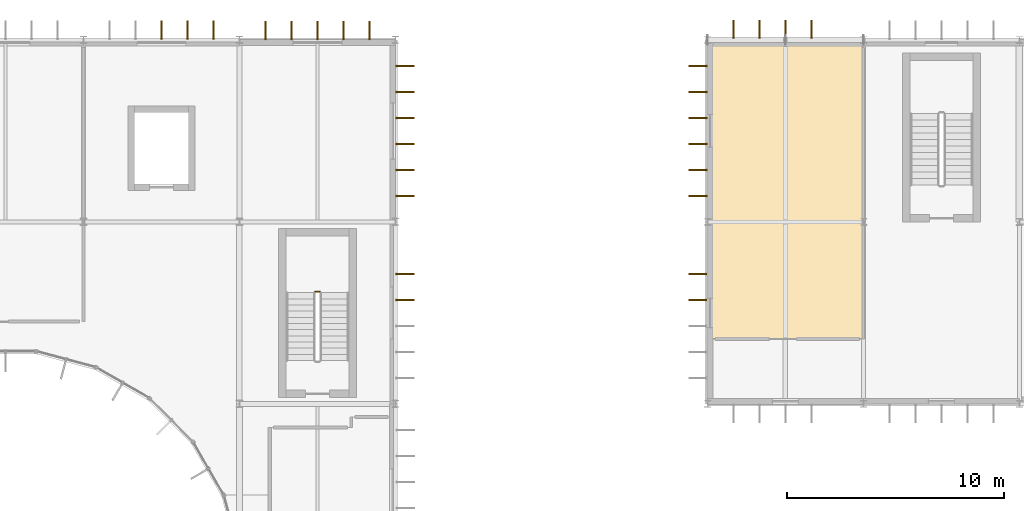
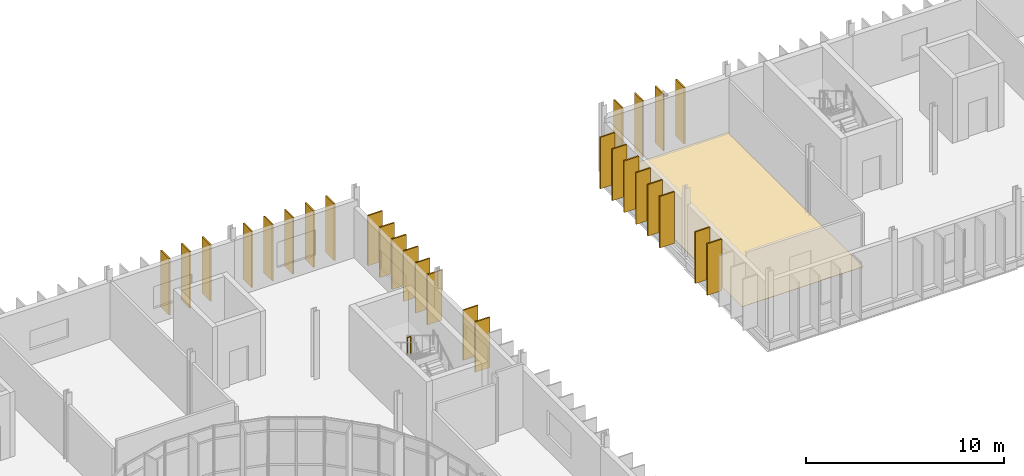
# One storey, part 58 of 61: 28 shading devices, 1 covering, 1 railing.
"""IFC4 building model written with IfcOpenShell, lengths in metres."""

from ifc_helpers import new_model, si_unit, direction, frame, origin, origin_2d, place, context, subcontext, project, spatial, polyline, rectangle, circle, outline, extrude, material, layer, layer_set, type_object, element, save


model = new_model("IFC4")

# Units and contexts
model_context = context("Model", 3, precision=1e-05, world=origin(), true_north=direction((0.0, 1.0)))
body_context = subcontext(model_context, "Body", "Model", "MODEL_VIEW")
ifc_project = project(units=[si_unit("LENGTHUNIT", "METRE"), si_unit("AREAUNIT", "SQUARE_METRE"), si_unit("VOLUMEUNIT", "CUBIC_METRE"), si_unit("PLANEANGLEUNIT", "RADIAN"), si_unit("MASSUNIT", "GRAM", prefix="KILO")], contexts=[model_context])

# Site, building, storey
site_placement = place(None, origin())
site = spatial("IfcSite", under=ifc_project, at=site_placement, CompositionType="ELEMENT")
building_placement = place(site_placement, origin())
building = spatial("IfcBuilding", under=site, at=building_placement, Name="Qelthora Terrace Specialist Clinic", CompositionType="ELEMENT")
storey_placement = place(building_placement, frame((0.0, 0.0, 13.199951171875)))
storey = spatial("IfcBuildingStorey", under=building, at=storey_placement, Name="L03", CompositionType="ELEMENT", Elevation=13.199951171875)

# Covering
ifc_material_1 = material(Name="Antimicrobial clinical linoleum flooring", Category="other")
ifc_layer = layer(ifc_material_1, 0.011962890625)
ifc_layer_set = layer_set([ifc_layer], Name="Antimicrobial clinical linoleum flooring")
covering_type = type_object("IfcCoveringType", Name="COV-FLR-LINO-12", PredefinedType="FLOORING", material=ifc_layer_set)
covering_placement = place(storey_placement, origin())
element("IfcCovering", 1, at=covering_placement, inside=storey, type_object=covering_type, Name="Laboratory Reagent Safety Store L03-64 resilient linoleum flooring", PredefinedType="FLOORING", context=body_context, shape_type="SweptSolid", body=[
    extrude(outline(polyline([(57.75, 95.39990234375), (57.75, 109.050048828125), (64.800048828125, 109.050048828125), (64.800048828125, 95.39990234375), (57.75, 95.39990234375)])), origin(), (0.0, 0.0, 1.0), 0.011962890625),
])

# Railing
ifc_material_2 = material(Name="Steel S355", Category="steel")
railing_type = type_object("IfcRailingType", Name="RAL-GD-1100-S355", PredefinedType="GUARDRAIL", material=ifc_material_2)
railing_placement = place(storey_placement, frame((39.699951171875, 97.5849609375, 2.10009765625)))
element("IfcRailing", 2, at=railing_placement, inside=storey, type_object=railing_type, Name="L03 ST-02 stair guard 2", PredefinedType="GUARDRAIL", context=body_context, shape_type="SweptSolid", body=[
    extrude(circle(Radius=0.02392578125, at=origin_2d()), frame((0.0, 0.0, 1.076171875), z_axis=(-1.0, 0.0, 0.0), x_axis=(0.0, -1.0, 0.0)), (0.0, 0.0, 1.0), 0.199951171875),
    extrude(circle(Radius=0.02099609375, at=origin_2d()), origin(), (0.0, 0.0, 1.0), 1.052001953125),
    extrude(circle(Radius=0.02099609375, at=origin_2d()), frame((-0.199951171875, 0.0, 0.0)), (0.0, 0.0, 1.0), 1.052001953125),
])

# Shading devices
ifc_material_3 = material(Name="Glulam timber GL28h", Category="wood")
shading_device_type = type_object("IfcShadingDeviceType", Name="SHD-FIN-850", PredefinedType="USERDEFINED", material=ifc_material_3)
for number, where, z_axis, x_axis, name in (
    (3, (57.155029296875, 97.199951171875, 0.0), (0.0, 0.0, 1.0), (-1.0, 0.0, 0.0), "Exterior solar shading fin FIN-1564"),
    (4, (57.155029296875, 98.39990234375, 0.0), (0.0, 0.0, 1.0), (-1.0, 0.0, 0.0), "Exterior solar shading fin FIN-1565"),
    (5, (57.1650390625, 102.0, 0.0), (0.0, 0.0, 1.0), (-1.0, 0.0, 0.0), "Exterior solar shading fin FIN-1566"),
    (6, (57.1650390625, 103.199951171875, 0.0), (0.0, 0.0, 1.0), (-1.0, 0.0, 0.0), "Exterior solar shading fin FIN-1567"),
    (7, (57.1650390625, 104.39990234375, 0.0), (0.0, 0.0, 1.0), (-1.0, 0.0, 0.0), "Exterior solar shading fin FIN-1568"),
    (8, (57.1650390625, 105.60009765625, 0.0), (0.0, 0.0, 1.0), (-1.0, 0.0, 0.0), "Exterior solar shading fin FIN-1569"),
    (9, (57.1650390625, 106.800048828125, 0.0), (0.0, 0.0, 1.0), (-1.0, 0.0, 0.0), "Exterior solar shading fin FIN-1570"),
    (10, (57.1650390625, 108.0, 0.0), (0.0, 0.0, 1.0), (-1.0, 0.0, 0.0), "Exterior solar shading fin FIN-1571"),
):
    element("IfcShadingDevice", number, at=place(storey_placement, frame(where, z_axis=z_axis, x_axis=x_axis)), inside=storey, type_object=shading_device_type, Name=name, ObjectType="FIN", PredefinedType="USERDEFINED", context=body_context, shape_type="SweptSolid", body=[
        extrude(rectangle(XDim=0.85009765625, YDim=0.080078125, at=origin_2d()), origin(), (0.0, 0.0, 1.0), 3.172119140625),
    ])
for number, where, z_axis, x_axis, name in (
    (11, (58.800048828125, 109.695068359375, 0.0), (0.0, 0.0, 1.0), (0.0, 1.0, 0.0), "Exterior solar shading fin FIN-1572"),
    (12, (60.0, 109.695068359375, 0.0), (0.0, 0.0, 1.0), (0.0, 1.0, 0.0), "Exterior solar shading fin FIN-1573"),
    (13, (61.199951171875, 109.695068359375, 0.0), (0.0, 0.0, 1.0), (0.0, 1.0, 0.0), "Exterior solar shading fin FIN-1574"),
    (14, (62.39990234375, 109.695068359375, 0.0), (0.0, 0.0, 1.0), (0.0, 1.0, 0.0), "Exterior solar shading fin FIN-1575"),
    (15, (32.39990234375, 109.655029296875, 0.0), (0.0, 0.0, 1.0), (0.0, 1.0, 0.0), "Exterior solar shading fin FIN-1688"),
    (16, (33.60009765625, 109.655029296875, 0.0), (0.0, 0.0, 1.0), (0.0, 1.0, 0.0), "Exterior solar shading fin FIN-1689"),
    (17, (34.800048828125, 109.655029296875, 0.0), (0.0, 0.0, 1.0), (0.0, 1.0, 0.0), "Exterior solar shading fin FIN-1690"),
    (18, (37.199951171875, 109.64501953125, 0.0), (0.0, 0.0, 1.0), (0.0, 1.0, 0.0), "Exterior solar shading fin FIN-1691"),
    (19, (38.39990234375, 109.64501953125, 0.0), (0.0, 0.0, 1.0), (0.0, 1.0, 0.0), "Exterior solar shading fin FIN-1692"),
    (20, (39.60009765625, 109.64501953125, 0.0), (0.0, 0.0, 1.0), (0.0, 1.0, 0.0), "Exterior solar shading fin FIN-1693"),
    (21, (40.800048828125, 109.64501953125, 0.0), (0.0, 0.0, 1.0), (0.0, 1.0, 0.0), "Exterior solar shading fin FIN-1694"),
    (22, (42.0, 109.64501953125, 0.0), (0.0, 0.0, 1.0), (0.0, 1.0, 0.0), "Exterior solar shading fin FIN-1695"),
):
    element("IfcShadingDevice", number, at=place(storey_placement, frame(where, z_axis=z_axis, x_axis=x_axis)), inside=storey, type_object=shading_device_type, Name=name, ObjectType="FIN", PredefinedType="USERDEFINED", context=body_context, shape_type="SweptSolid", body=[
        extrude(rectangle(XDim=0.85009765625, YDim=0.080078125, at=origin_2d()), origin(), (0.0, 0.0, 1.0), 3.48193359375),
    ])
for number, where, z_axis, x_axis, name in (
    (23, (43.64501953125, 97.199951171875, 0.0), (0.0, 0.0, 1.0), (1.0, 0.0, 0.0), "Exterior solar shading fin FIN-1722"),
    (24, (43.64501953125, 98.39990234375, 0.0), (0.0, 0.0, 1.0), (1.0, 0.0, 0.0), "Exterior solar shading fin FIN-1723"),
    (25, (43.635009765625, 102.0, 0.0), (0.0, 0.0, 1.0), (1.0, 0.0, 0.0), "Exterior solar shading fin FIN-1724"),
    (26, (43.635009765625, 103.199951171875, 0.0), (0.0, 0.0, 1.0), (1.0, 0.0, 0.0), "Exterior solar shading fin FIN-1725"),
    (27, (43.635009765625, 104.39990234375, 0.0), (0.0, 0.0, 1.0), (1.0, 0.0, 0.0), "Exterior solar shading fin FIN-1726"),
    (28, (43.635009765625, 105.60009765625, 0.0), (0.0, 0.0, 1.0), (1.0, 0.0, 0.0), "Exterior solar shading fin FIN-1727"),
    (29, (43.635009765625, 106.800048828125, 0.0), (0.0, 0.0, 1.0), (1.0, 0.0, 0.0), "Exterior solar shading fin FIN-1728"),
    (30, (43.635009765625, 108.0, 0.0), (0.0, 0.0, 1.0), (1.0, 0.0, 0.0), "Exterior solar shading fin FIN-1729"),
):
    element("IfcShadingDevice", number, at=place(storey_placement, frame(where, z_axis=z_axis, x_axis=x_axis)), inside=storey, type_object=shading_device_type, Name=name, ObjectType="FIN", PredefinedType="USERDEFINED", context=body_context, shape_type="SweptSolid", body=[
        extrude(rectangle(XDim=0.85009765625, YDim=0.080078125, at=origin_2d()), origin(), (0.0, 0.0, 1.0), 3.091064453125),
    ])

save(model, "model.ifc")
